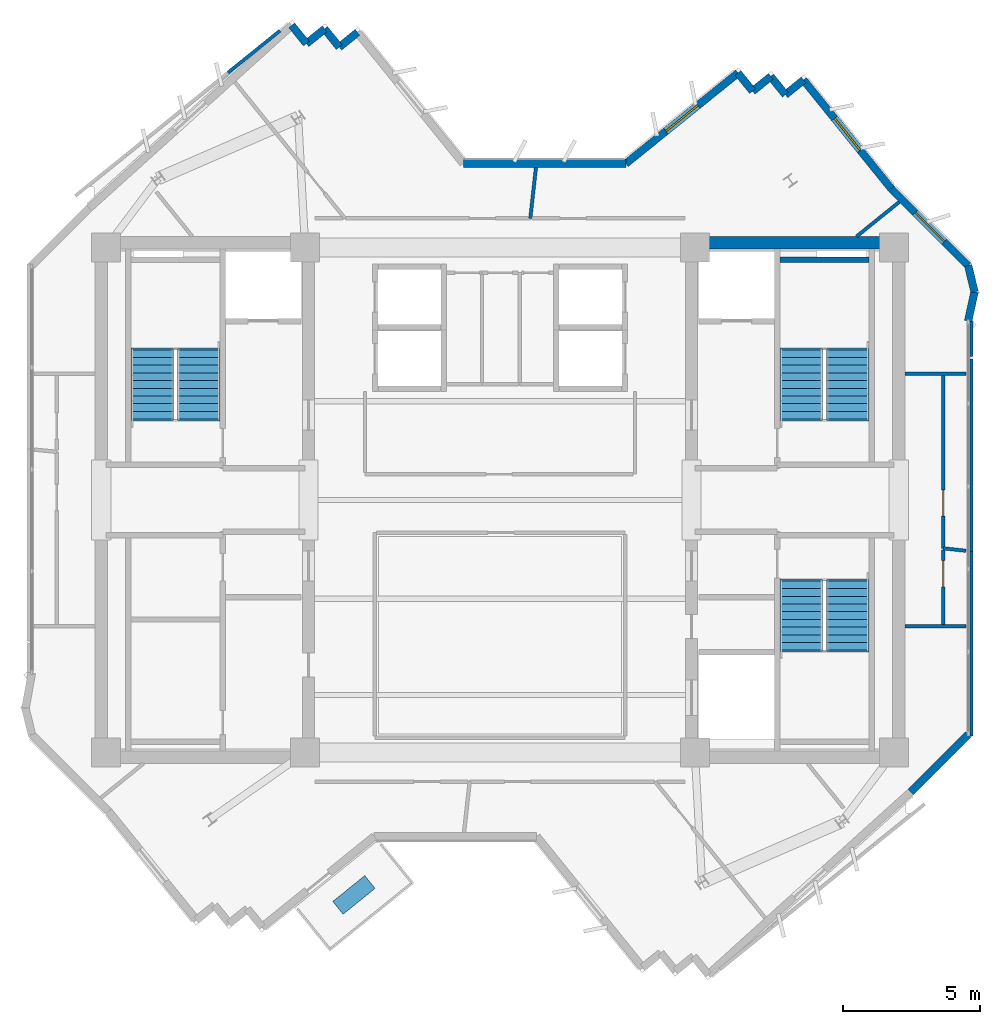
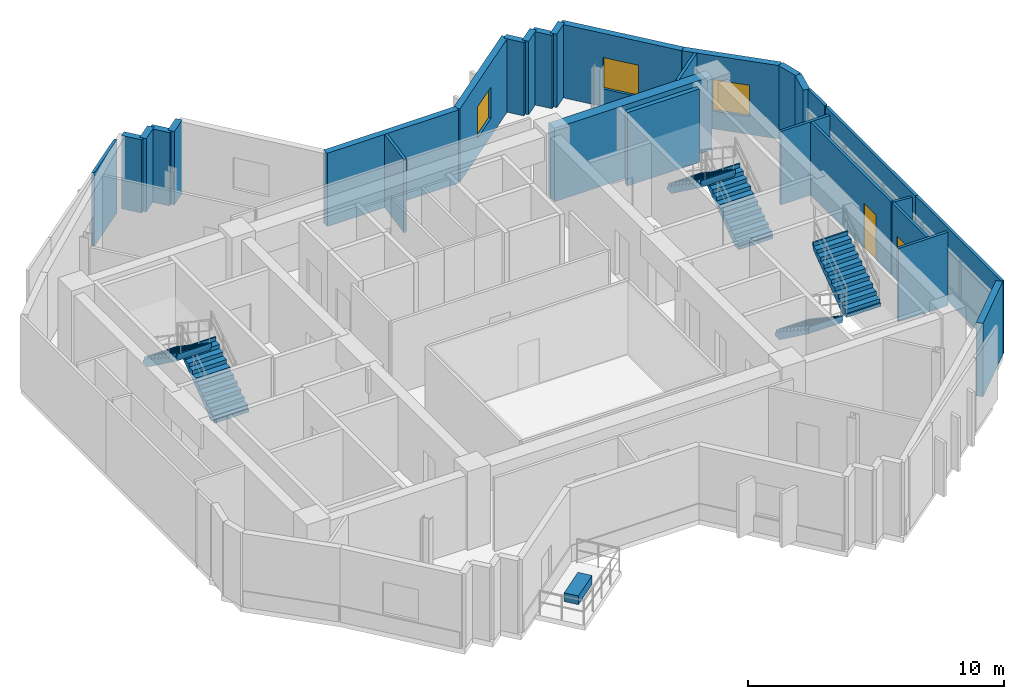
# One storey, part 9 of 11: 28 walls, 6 stair flights, 3 windows, 2 doors, 1 discrete accessory, 5 openings, 3 elements without a shape of their own.
"""IFC4 building model written with IfcOpenShell, lengths in metres."""

import ifcopenshell
import ifcopenshell.guid

model = None  # the IFC model being written
_history = None  # IfcOwnerHistory: only IFC2X3 demands one
_inside = {}  # id of a spatial element -> (the spatial element, [elements in it])
_under = {}  # id of a project, library or spatial element -> (it, [spatial elements below it])
_declared = {}  # id of a project -> (the project, [libraries it declares])
_typed = {}  # id of a type object -> (the type object, [elements of that type])
_made_of = {}  # id of a material, layer set ... -> (it, [elements and type objects made of it])


def new_model(schema):
    """Start an empty IFC model of exactly this schema.

    Asked for "IFC4X3", IfcOpenShell would pick the latest addendum, in which some entities
    have other attributes; the version numbers below select the first issue.
    IFC2X3 requires an IfcOwnerHistory on every rooted entity: one is made here for all.
    """
    global model, _history
    if schema == "IFC4X3":
        model = ifcopenshell.file(schema_version=(4, 3, 0, 0))
    else:
        model = ifcopenshell.file(schema=schema)
    _inside.clear()
    _under.clear()
    _declared.clear()
    _typed.clear()
    _made_of.clear()
    _history = None
    if model.schema == "IFC2X3":
        org = make("IfcOrganization", Name="unknown")
        user = make(
            "IfcPersonAndOrganization",
            ThePerson=make("IfcPerson", FamilyName="unknown"),
            TheOrganization=org,
        )
        app = make(
            "IfcApplication",
            ApplicationDeveloper=org,
            Version="unknown",
            ApplicationFullName="unknown",
            ApplicationIdentifier="unknown",
        )
        _history = make(
            "IfcOwnerHistory",
            OwningUser=user,
            OwningApplication=app,
            ChangeAction="ADDED",
            CreationDate=0,
        )
    return model


def make(cls, **values):
    """One entity of the class cls with the attributes given. An attribute that is None is left unset."""
    return model.create_entity(
        cls, **{name: value for name, value in values.items() if value is not None}
    )


def rooted(cls, **values):
    """An entity with a GlobalId (a new one), such as an element, a storey or a relation."""
    return make(cls, GlobalId=ifcopenshell.guid.new(), OwnerHistory=_history, **values)


def si_unit(unit_type, name, prefix=None):
    """IfcSIUnit, for example si_unit("LENGTHUNIT", "METRE", prefix="MILLI")."""
    return make("IfcSIUnit", UnitType=unit_type, Prefix=prefix, Name=name)


def assignment(units):
    """IfcUnitAssignment: the units of a project."""
    return None if units is None else make("IfcUnitAssignment", Units=units)


def point(xyz):
    """IfcCartesianPoint."""
    return None if xyz is None else make("IfcCartesianPoint", Coordinates=xyz)


def direction(xyz):
    """IfcDirection."""
    return None if xyz is None else make("IfcDirection", DirectionRatios=xyz)


def frame(location, z_axis=None, x_axis=None):
    """IfcAxis2Placement3D, a coordinate frame: its origin and axes. An axis left out is left unset."""
    return make(
        "IfcAxis2Placement3D",
        Location=point(location),
        Axis=direction(z_axis),
        RefDirection=direction(x_axis),
    )


def frame_2d(location, x_axis=None):
    """IfcAxis2Placement2D, a coordinate frame in the plane: its origin and x axis."""
    return make(
        "IfcAxis2Placement2D", Location=point(location), RefDirection=direction(x_axis)
    )


def origin():
    """The frame at (0, 0, 0) with its axes left unset."""
    return frame((0.0, 0.0, 0.0))


def origin_2d():
    """The frame at (0, 0) in the plane with its x axis left unset."""
    return frame_2d((0.0, 0.0))


def place(relative_to, where):
    """IfcLocalPlacement: puts the frame where relative to a parent placement (None: the world)."""
    return make(
        "IfcLocalPlacement", PlacementRelTo=relative_to, RelativePlacement=where
    )


def context(
    kind, dimensions, precision=None, world=None, true_north=None, identifier=None
):
    """IfcGeometricRepresentationContext, for example the 3D "Model" context."""
    return make(
        "IfcGeometricRepresentationContext",
        ContextIdentifier=identifier,
        ContextType=kind,
        CoordinateSpaceDimension=dimensions,
        Precision=precision,
        WorldCoordinateSystem=world,
        TrueNorth=true_north,
    )


def subcontext(parent, identifier, kind, view, scale=None):
    """IfcGeometricRepresentationSubContext, for example "Body" below "Model"."""
    return make(
        "IfcGeometricRepresentationSubContext",
        ContextIdentifier=identifier,
        ContextType=kind,
        ParentContext=parent,
        TargetScale=scale,
        TargetView=view,
    )


def project(units=None, contexts=None):
    """IfcProject with its units and contexts."""
    return rooted(
        "IfcProject",
        Name="project",
        RepresentationContexts=contexts,
        UnitsInContext=assignment(units),
    )


def spatial(cls, under=None, at=None, **own):
    """A site, building, storey or space (cls), placed at a placement, below another one or the project."""
    s = rooted(cls, ObjectPlacement=at, **own)
    if under is not None:
        _under.setdefault(under.id(), (under, []))[1].append(s)
    return s


def polyline(points):
    """IfcPolyline through the points."""
    return make("IfcPolyline", Points=[point(p) for p in points])


def profile(cls, at=None, kind="AREA", **sizes):
    """A parametric profile (cls). Its sizes go by their IFC names, for example OverallWidth=200.0."""
    return make(cls, ProfileType=kind, Position=at, **sizes)


def rectangle(**sizes):
    """IfcRectangleProfileDef."""
    return profile("IfcRectangleProfileDef", **sizes)


def outline(outer, holes=None, kind="AREA"):
    """IfcArbitraryClosedProfileDef: a profile drawn as a closed curve; with holes, ...WithVoids."""
    if holes is None:
        return make("IfcArbitraryClosedProfileDef", ProfileType=kind, OuterCurve=outer)
    return make(
        "IfcArbitraryProfileDefWithVoids",
        ProfileType=kind,
        OuterCurve=outer,
        InnerCurves=holes,
    )


def extrude(swept, where, along, depth):
    """IfcExtrudedAreaSolid: the profile swept, set in the frame where, extruded along a direction by depth."""
    return make(
        "IfcExtrudedAreaSolid",
        SweptArea=swept,
        Position=where,
        ExtrudedDirection=direction(along),
        Depth=depth,
    )


def shape(context_of_items, identifier, shape_type, items):
    """IfcShapeRepresentation: the items that make up one representation, for example the "Body"."""
    return make(
        "IfcShapeRepresentation",
        ContextOfItems=context_of_items,
        RepresentationIdentifier=identifier,
        RepresentationType=shape_type,
        Items=items,
    )


def source(mapping_origin, context_of_items, identifier, shape_type, items):
    """IfcRepresentationMap: a shape defined once, which mapped items show again and again."""
    return make(
        "IfcRepresentationMap",
        MappingOrigin=mapping_origin,
        MappedRepresentation=shape(context_of_items, identifier, shape_type, items),
    )


def transform(
    local_origin,
    x_axis=None,
    y_axis=None,
    z_axis=None,
    scale=None,
    scale2=None,
    scale3=None,
    uniform=True,
):
    """IfcCartesianTransformationOperator3D, or its non-uniform kind. x_axis, y_axis, z_axis: its Axis1, 2, 3."""
    if uniform:
        return make(
            "IfcCartesianTransformationOperator3D",
            Axis1=direction(x_axis),
            Axis2=direction(y_axis),
            LocalOrigin=point(local_origin),
            Scale=scale,
            Axis3=direction(z_axis),
        )
    return make(
        "IfcCartesianTransformationOperator3DnonUniform",
        Axis1=direction(x_axis),
        Axis2=direction(y_axis),
        LocalOrigin=point(local_origin),
        Scale=scale,
        Axis3=direction(z_axis),
        Scale2=scale2,
        Scale3=scale3,
    )


def mapped(mapping_source, mapping_target):
    """IfcMappedItem: shows the shape of a source again, moved by a transform."""
    return make(
        "IfcMappedItem", MappingSource=mapping_source, MappingTarget=mapping_target
    )


def material(Name=None, Category=None):
    """IfcMaterial."""
    return make("IfcMaterial", Name=Name, Category=Category)


def layer(
    of_material, thickness, ventilated=None, Name=None, Category=None, Priority=None
):
    """IfcMaterialLayer: one layer of a wall or slab, of a material (None: an air gap)."""
    return make(
        "IfcMaterialLayer",
        Material=of_material,
        LayerThickness=thickness,
        IsVentilated=ventilated,
        Name=Name,
        Category=Category,
        Priority=Priority,
    )


def layer_set(layers, Name=None):
    """IfcMaterialLayerSet."""
    return make("IfcMaterialLayerSet", MaterialLayers=layers, LayerSetName=Name)


def made_of(thing, what):
    """Note that an element or type object is made of a material, layer set ...; save() writes the relation."""
    if what is not None:
        _made_of.setdefault(what.id(), (what, []))[1].append(thing)
    return thing


def type_object(cls, material=None, **own):
    """A type object (cls), such as IfcWallType, which elements share."""
    return made_of(rooted(cls, **own), material)


def element(
    cls,
    number,
    at=None,
    inside=None,
    cuts=None,
    type_object=None,
    material=None,
    context=None,
    identifier="Body",
    shape_type=None,
    held_by="IfcProductDefinitionShape",
    body=None,
    shapes=None,
    **own,
):
    """One element of the class cls, such as IfcWall. Its Tag is "e" and its number.

    at: its placement. inside: the storey or other place that contains it. cuts: it is an
    opening in that element (IfcRelVoidsElement). A single representation is given by context,
    identifier, shape_type and body (its items); several are given by shapes. held_by: the class
    of the entity that holds the representations. save() writes the other relations.
    """
    e = rooted(cls, Tag="e%d" % number, ObjectPlacement=at, **own)
    if body is not None:
        shapes = [shape(context, identifier, shape_type, body)]
    if shapes is not None:
        e.Representation = make(held_by, Representations=shapes)
    if inside is not None:
        _inside.setdefault(inside.id(), (inside, []))[1].append(e)
    if cuts is not None:
        rooted(
            "IfcRelVoidsElement", RelatingBuildingElement=cuts, RelatedOpeningElement=e
        )
    if type_object is not None:
        _typed.setdefault(type_object.id(), (type_object, []))[1].append(e)
    return made_of(e, material)


def fill(opening, filler):
    """IfcRelFillsElement: the door or window that sits in an opening."""
    return rooted(
        "IfcRelFillsElement",
        RelatingOpeningElement=opening,
        RelatedBuildingElement=filler,
    )


def aggregate(whole, parts):
    """IfcRelAggregates: a whole, such as a stair, and the parts it consists of."""
    return rooted("IfcRelAggregates", RelatingObject=whole, RelatedObjects=parts)


def save(model, path):
    """Write the relations noted so far, then the file.

    IfcRelAggregates (storeys below a building ...), IfcRelContainedInSpatialStructure (elements
    in a storey), IfcRelDefinesByType, IfcRelAssociatesMaterial and IfcRelDeclares: one each for
    every whole, place, type object, material and project.
    """
    for whole, parts in _under.values():
        aggregate(whole, parts)
    for where, things in _inside.values():
        rooted(
            "IfcRelContainedInSpatialStructure",
            RelatedElements=things,
            RelatingStructure=where,
        )
    for kind, things in _typed.values():
        rooted("IfcRelDefinesByType", RelatedObjects=things, RelatingType=kind)
    for what, things in _made_of.values():
        rooted("IfcRelAssociatesMaterial", RelatedObjects=things, RelatingMaterial=what)
    for by, libraries in _declared.values():
        rooted("IfcRelDeclares", RelatingContext=by, RelatedDefinitions=libraries)
    model.write(path)


model = new_model("IFC4")

# Units and contexts
model_context = context("Model", 3, precision=1e-05, world=origin(), true_north=direction((0.0, 1.0)))
body_context = subcontext(model_context, "Body", "Model", "MODEL_VIEW")
ifc_project = project(units=[si_unit("LENGTHUNIT", "METRE"), si_unit("AREAUNIT", "SQUARE_METRE"), si_unit("VOLUMEUNIT", "CUBIC_METRE"), si_unit("PLANEANGLEUNIT", "RADIAN"), si_unit("MASSUNIT", "GRAM", prefix="KILO")], contexts=[model_context])

# Site, building, storey
site_placement = place(None, origin())
site = spatial("IfcSite", under=ifc_project, at=site_placement, CompositionType="ELEMENT")
building_placement = place(site_placement, origin())
building = spatial("IfcBuilding", under=site, at=building_placement, Name="Zahravan Cultural Tower", CompositionType="ELEMENT")
storey_placement = place(building_placement, frame((0.0, 0.0, 287.85009765625)))
storey = spatial("IfcBuildingStorey", under=building, at=storey_placement, Name="L69", CompositionType="ELEMENT", Elevation=287.85009765625)

# Wall, opening, window
ifc_material_1 = material(Name="Precast concrete C40/50", Category="concrete")
ifc_layer_1 = layer(ifc_material_1, 0.280029296875)
ifc_layer_set_1 = layer_set([ifc_layer_1], Name="Precast concrete C40/50")
wall_type_1 = type_object("IfcWallType", Name="EW-TC-280", PredefinedType="SOLIDWALL", material=ifc_layer_set_1)
wall_1_placement = place(storey_placement, frame((40.5830078125, 39.260009765625, 0.0), z_axis=(0.0, 0.0, 1.0), x_axis=(0.778072238875, 0.628174809342, 0.0)))
wall_1 = element("IfcWall", 1, at=wall_1_placement, inside=storey, type_object=wall_type_1, Name="L69 Exterior Masonry Frame Wall 09", PredefinedType="SOLIDWALL", context=body_context, shape_type="SweptSolid", body=[
    extrude(rectangle(XDim=5.252685546875, YDim=0.280029296875, at=frame_2d((2.62646484375, 0.0))), origin(), (0.0, 0.0, 1.0), 3.5),
])
opening_1_placement = place(wall_1_placement, frame((1.8759765625, 0.0, 0.85009765625)))
opening_1 = element("IfcOpeningElement", 2, at=opening_1_placement, cuts=wall_1, Name="Opening WN-03", PredefinedType="OPENING", context=body_context, shape_type="SweptSolid", body=[
    extrude(rectangle(XDim=1.5, YDim=1.5, at=frame_2d((0.75, 0.75))), frame((0.0, 0.14990234375, 0.0), z_axis=(0.0, -1.0, 0.0), x_axis=(1.0, 0.0, 0.0)), (0.0, 0.0, 1.0), 0.300048828125),
])
ifc_material_2 = material(Name="Low-E solar-control double glazing", Category="glass")
window_type = type_object("IfcWindowType", Name="WN-REC-1500X1500", PartitioningType="SINGLE_PANEL", PredefinedType="WINDOW", material=ifc_material_2)
shared_shape_1 = source(origin(), body_context, "Body", "SweptSolid", [
    extrude(rectangle(XDim=1.5, YDim=1.5, at=frame_2d((0.75, 0.75))), frame((0.0, 0.030029296875, 0.0), z_axis=(0.0, -1.0, 0.0), x_axis=(1.0, 0.0, 0.0)), (0.0, 0.0, 1.0), 0.06005859375),
])
window_1_placement = place(opening_1_placement, origin())
window_1 = element("IfcWindow", 3, at=window_1_placement, inside=storey, type_object=window_type, Name="L69 Recessed Solar Window 03", OverallHeight=1.5, OverallWidth=1.5, PartitioningType="SINGLE_PANEL", PredefinedType="WINDOW", context=body_context, shape_type="MappedRepresentation", body=[
    mapped(shared_shape_1, transform((0.0, 0.0, 0.0), x_axis=(1.0, 0.0, 0.0), y_axis=(0.0, 1.0, 0.0), z_axis=(0.0, 0.0, 1.0), scale=1.0)),
])
fill(opening_1, window_1)

wall_2_placement = place(storey_placement, frame((47.060302734375, 42.3046875, 0.0), z_axis=(0.0, 0.0, 1.0), x_axis=(0.628225517447, -0.778031297075, 0.0)))
wall_2 = element("IfcWall", 4, at=wall_2_placement, inside=storey, type_object=wall_type_1, Name="L69 Exterior Masonry Frame Wall 14", PredefinedType="SOLIDWALL", context=body_context, shape_type="SweptSolid", body=[
    extrude(rectangle(XDim=5.0927734375, YDim=0.280029296875, at=frame_2d((2.54638671875, 0.0))), origin(), (0.0, 0.0, 1.0), 3.5),
])
opening_2_placement = place(wall_2_placement, frame((1.7958984375, 0.0, 0.85009765625)))
opening_2 = element("IfcOpeningElement", 5, at=opening_2_placement, cuts=wall_2, Name="Opening WN-03", PredefinedType="OPENING", context=body_context, shape_type="SweptSolid", body=[
    extrude(rectangle(XDim=1.5, YDim=1.5, at=frame_2d((0.75, 0.75))), frame((0.0, 0.14990234375, 0.0), z_axis=(0.0, -1.0, 0.0), x_axis=(1.0, 0.0, 0.0)), (0.0, 0.0, 1.0), 0.300048828125),
])
window_2_placement = place(opening_2_placement, origin())
window_2 = element("IfcWindow", 6, at=window_2_placement, inside=storey, type_object=window_type, Name="L69 Recessed Solar Window 04", OverallHeight=1.5, OverallWidth=1.5, PartitioningType="SINGLE_PANEL", PredefinedType="WINDOW", context=body_context, shape_type="MappedRepresentation", body=[
    mapped(shared_shape_1, transform((0.0, 0.0, 0.0), x_axis=(1.0, 0.0, 0.0), y_axis=(0.0, 1.0, 0.0), z_axis=(0.0, 0.0, 1.0), scale=1.0)),
])
fill(opening_2, window_2)

wall_3_placement = place(storey_placement, frame((50.259765625, 38.34228515625, 0.0), z_axis=(0.0, 0.0, 1.0), x_axis=(0.707106781187, -0.707106781187, 0.0)))
wall_3 = element("IfcWall", 7, at=wall_3_placement, inside=storey, type_object=wall_type_1, Name="L69 Exterior Masonry Frame Wall 15", PredefinedType="SOLIDWALL", context=body_context, shape_type="SweptSolid", body=[
    extrude(rectangle(XDim=3.960205078125, YDim=0.280029296875, at=frame_2d((1.97998046875, 0.0))), origin(), (0.0, 0.0, 1.0), 3.5),
])
opening_3_placement = place(wall_3_placement, frame((1.22998046875, 0.0, 0.85009765625)))
opening_3 = element("IfcOpeningElement", 8, at=opening_3_placement, cuts=wall_3, Name="Opening WN-03", PredefinedType="OPENING", context=body_context, shape_type="SweptSolid", body=[
    extrude(rectangle(XDim=1.5, YDim=1.5, at=frame_2d((0.75, 0.75))), frame((0.0, 0.14990234375, 0.0), z_axis=(0.0, -1.0, 0.0), x_axis=(1.0, 0.0, 0.0)), (0.0, 0.0, 1.0), 0.300048828125),
])
window_3_placement = place(opening_3_placement, origin())
window_3 = element("IfcWindow", 9, at=window_3_placement, inside=storey, type_object=window_type, Name="L69 Recessed Solar Window 05", OverallHeight=1.5, OverallWidth=1.5, PartitioningType="SINGLE_PANEL", PredefinedType="WINDOW", context=body_context, shape_type="MappedRepresentation", body=[
    mapped(shared_shape_1, transform((0.0, 0.0, 0.0), x_axis=(1.0, 0.0, 0.0), y_axis=(0.0, 1.0, 0.0), z_axis=(0.0, 0.0, 1.0), scale=1.0)),
])
fill(opening_3, window_3)

# Wall, opening, door
ifc_material_3 = material(Name="Gypsum plasterboard partition")
ifc_layer_2 = layer(ifc_material_3, 0.125)
ifc_layer_set_2 = layer_set([ifc_layer_2], Name="Gypsum plasterboard partition")
wall_type_2 = type_object("IfcWallType", Name="W-PART-125", PredefinedType="PARTITIONING", material=ifc_layer_set_2)
wall_4_placement = place(storey_placement, frame((52.14990234375, 25.240478515625, 0.0), z_axis=(0.0, 0.0, 1.0), x_axis=(-0.000155231293, 0.999999987952, 0.0)))
wall_4 = element("IfcWall", 10, at=wall_4_placement, inside=storey, type_object=wall_type_2, Name="L69 Interior Wall 060", PredefinedType="PARTITIONING", context=body_context, shape_type="SweptSolid", body=[
    extrude(rectangle(XDim=6.291015625, YDim=0.125, at=frame_2d((3.1455078125, 0.0))), origin(), (0.0, 0.0, 1.0), 3.5),
])
opening_4_placement = place(wall_4_placement, frame((1.175048828125, 0.0, 0.0)))
opening_4 = element("IfcOpeningElement", 11, at=opening_4_placement, cuts=wall_4, Name="Opening D-L69-17", PredefinedType="OPENING", context=body_context, shape_type="SweptSolid", body=[
    extrude(rectangle(XDim=0.949951171875, YDim=2.14990234375, at=frame_2d((0.47509765625, 1.074951171875))), frame((0.0, 0.072509765625, 0.0), z_axis=(0.0, -1.0, 0.0), x_axis=(1.0, 0.0, 0.0)), (0.0, 0.0, 1.0), 0.14501953125),
])
ifc_material_4 = material(Name="Anodised bronze-aluminium mullion", Category="aluminium")
door_type = type_object("IfcDoorType", Name="DR-ROOM-950", OperationType="NOTDEFINED", PredefinedType="DOOR", material=ifc_material_4)
shared_shape_2 = source(origin(), body_context, "Body", "SweptSolid", [
    extrude(rectangle(XDim=0.949951171875, YDim=2.14990234375, at=frame_2d((0.47509765625, 1.074951171875))), frame((0.0, 0.02490234375, 0.0), z_axis=(0.0, -1.0, 0.0), x_axis=(1.0, 0.0, 0.0)), (0.0, 0.0, 1.0), 0.050048828125),
])
door_1_placement = place(opening_4_placement, origin())
door_1 = element("IfcDoor", 12, at=door_1_placement, inside=storey, type_object=door_type, Name="L69 Door D-L69-17", OperationType="SINGLE_SWING_RIGHT", OverallHeight=2.14990234375, OverallWidth=0.949951171875, PredefinedType="DOOR", context=body_context, shape_type="MappedRepresentation", body=[
    mapped(shared_shape_2, transform((0.0, 0.0, 0.0), x_axis=(1.0, 0.0, 0.0), y_axis=(0.0, 1.0, 0.0), z_axis=(0.0, 0.0, 1.0), scale=1.0)),
])
fill(opening_4, door_1)

wall_5_placement = place(storey_placement, frame((52.146484375, 22.468017578125, 0.0), z_axis=(0.0, 0.0, 1.0), x_axis=(0.001263765014, 0.999999201449, 0.0)))
wall_5 = element("IfcWall", 13, at=wall_5_placement, inside=storey, type_object=wall_type_2, Name="L69 Interior Wall 063", PredefinedType="PARTITIONING", context=body_context, shape_type="SweptSolid", body=[
    extrude(rectangle(XDim=2.70458984375, YDim=0.125, at=frame_2d((1.352294921875, 0.0))), origin(), (0.0, 0.0, 1.0), 3.5),
])
opening_5_placement = place(wall_5_placement, frame((1.36865234375, 0.0, 0.0)))
opening_5 = element("IfcOpeningElement", 14, at=opening_5_placement, cuts=wall_5, Name="Opening D-L69-24", PredefinedType="OPENING", context=body_context, shape_type="SweptSolid", body=[
    extrude(rectangle(XDim=0.949951171875, YDim=2.14990234375, at=frame_2d((0.47509765625, 1.074951171875))), frame((0.0, 0.072509765625, 0.0), z_axis=(0.0, -1.0, 0.0), x_axis=(1.0, 0.0, 0.0)), (0.0, 0.0, 1.0), 0.14501953125),
])
door_2_placement = place(opening_5_placement, origin())
door_2 = element("IfcDoor", 15, at=door_2_placement, inside=storey, type_object=door_type, Name="L69 Door D-L69-24", OperationType="SINGLE_SWING_LEFT", OverallHeight=2.14990234375, OverallWidth=0.949951171875, PredefinedType="DOOR", context=body_context, shape_type="MappedRepresentation", body=[
    mapped(shared_shape_2, transform((0.0, 0.0, 0.0), x_axis=(1.0, 0.0, 0.0), y_axis=(0.0, 1.0, 0.0), z_axis=(0.0, 0.0, 1.0), scale=1.0)),
])
fill(opening_5, door_2)

# Walls
ifc_material_5 = material(Name="Concrete C50/60", Category="concrete")
ifc_layer_3 = layer(ifc_material_5, 0.449951171875)
ifc_layer_set_3 = layer_set([ifc_layer_3], Name="Concrete C50/60")
wall_type_3 = type_object("IfcWallType", Name="CW-SHEAR-450-C50", PredefinedType="SHEAR", material=ifc_layer_set_3)
shared_shape_3 = source(origin(), body_context, "Body", "SweptSolid", [
    extrude(rectangle(XDim=7.10009765625, YDim=0.449951171875, at=frame_2d((3.550048828125, 0.0))), origin(), (0.0, 0.0, 1.0), 3.5),
])
wall_6_placement = place(storey_placement, frame((43.199951171875, 36.375, 0.0), z_axis=(0.0, 0.0, 1.0), x_axis=(1.0, 0.0, 0.0)))
element("IfcWall", 16, at=wall_6_placement, inside=storey, type_object=wall_type_3, Name="L69 Core Shear Wall CW-E-N-L69", PredefinedType="SHEAR", context=body_context, shape_type="MappedRepresentation", body=[
    mapped(shared_shape_3, transform((0.0, 0.0, 0.0), x_axis=(1.0, 0.0, 0.0), y_axis=(0.0, 1.0, 0.0), z_axis=(0.0, 0.0, 1.0), scale=1.0)),
])
shared_shape_4 = source(origin(), body_context, "Body", "SweptSolid", [
    extrude(rectangle(XDim=0.85009765625, YDim=0.280029296875, at=frame_2d((0.425048828125, 0.0))), origin(), (0.0, 0.0, 1.0), 3.5),
])
for number, where, z_axis, x_axis, name in (
    (17, (28.41357421875, 44.2919921875, 0.0), (0.0, 0.0, 1.0), (0.628156579423, -0.778086956405, 0.0), "L69 Exterior Masonry Frame Wall 03"),
    (18, (28.947509765625, 43.630615234375, 0.0), (0.0, 0.0, 1.0), (0.777946579095, 0.628330422687, 0.0), "L69 Exterior Masonry Frame Wall 04"),
    (19, (29.60888671875, 44.164794921875, 0.0), (0.0, 0.0, 1.0), (0.628156579423, -0.778086956405, 0.0), "L69 Exterior Masonry Frame Wall 05"),
    (20, (30.142822265625, 43.50341796875, 0.0), (0.0, 0.0, 1.0), (0.778086956405, 0.628156579423, 0.0), "L69 Exterior Masonry Frame Wall 06"),
    (21, (44.669921875, 42.5595703125, 0.0), (0.0, 0.0, 1.0), (0.628156579423, -0.778086956405, 0.0), "L69 Exterior Masonry Frame Wall 10"),
    (22, (45.864990234375, 42.43212890625, 0.0), (0.0, 0.0, 1.0), (0.628330422687, -0.777946579095, 0.0), "L69 Exterior Masonry Frame Wall 12"),
):
    element("IfcWall", number, at=place(storey_placement, frame(where, z_axis=z_axis, x_axis=x_axis)), inside=storey, type_object=wall_type_1, Name=name, PredefinedType="SOLIDWALL", context=body_context, shape_type="MappedRepresentation", body=[
        mapped(shared_shape_4, transform((0.0, 0.0, 0.0), x_axis=(1.0, 0.0, 0.0), y_axis=(0.0, 1.0, 0.0), z_axis=(0.0, 0.0, 1.0), scale=1.0)),
    ])
shared_shape_5 = source(origin(), body_context, "Body", "SweptSolid", [
    extrude(rectangle(XDim=0.849853515625, YDim=0.280029296875, at=frame_2d((0.4248046875, 0.0))), origin(), (0.0, 0.0, 1.0), 3.5),
])
for number, where, z_axis, x_axis, name in (
    (23, (45.203857421875, 41.898193359375, 0.0), (0.0, 0.0, 1.0), (0.777973585776, 0.628296983786, 0.0), "L69 Exterior Masonry Frame Wall 11"),
    (24, (46.399169921875, 41.770751953125, 0.0), (0.0, 0.0, 1.0), (0.777973585776, 0.628296983786, 0.0), "L69 Exterior Masonry Frame Wall 13"),
):
    element("IfcWall", number, at=place(storey_placement, frame(where, z_axis=z_axis, x_axis=x_axis)), inside=storey, type_object=wall_type_1, Name=name, PredefinedType="SOLIDWALL", context=body_context, shape_type="MappedRepresentation", body=[
        mapped(shared_shape_5, transform((0.0, 0.0, 0.0), x_axis=(1.0, 0.0, 0.0), y_axis=(0.0, 1.0, 0.0), z_axis=(0.0, 0.0, 1.0), scale=1.0)),
    ])
shared_shape_6 = source(origin(), body_context, "Body", "SweptSolid", [
    extrude(rectangle(XDim=2.96435546875, YDim=0.280029296875, at=frame_2d((1.482177734375, 0.0))), origin(), (0.0, 0.0, 1.0), 3.5),
])
wall_7_placement = place(storey_placement, frame((53.06005859375, 18.4580078125, 0.0), z_axis=(0.0, 0.0, 1.0), x_axis=(-0.707106781187, -0.707106781187, 0.0)))
element("IfcWall", 25, at=wall_7_placement, inside=storey, type_object=wall_type_1, Name="L69 Exterior Masonry Frame Wall 18", PredefinedType="SOLIDWALL", context=body_context, shape_type="MappedRepresentation", body=[
    mapped(shared_shape_6, transform((0.0, 0.0, 0.0), x_axis=(1.0, 0.0, 0.0), y_axis=(0.0, 1.0, 0.0), z_axis=(0.0, 0.0, 1.0), scale=1.0)),
])
shared_shape_7 = source(origin(), body_context, "Body", "SweptSolid", [
    extrude(rectangle(XDim=5.921630859375, YDim=0.280029296875, at=frame_2d((2.9609375, 0.0))), origin(), (0.0, 0.0, 1.0), 3.5),
])
wall_8_placement = place(storey_placement, frame((34.661376953125, 39.260009765625, 0.0), z_axis=(0.0, 0.0, 1.0), x_axis=(1.0, 0.0, 0.0)))
element("IfcWall", 26, at=wall_8_placement, inside=storey, type_object=wall_type_1, Name="L69 Exterior Masonry Frame Wall 08", PredefinedType="SOLIDWALL", context=body_context, shape_type="MappedRepresentation", body=[
    mapped(shared_shape_7, transform((0.0, 0.0, 0.0), x_axis=(1.0, 0.0, 0.0), y_axis=(0.0, 1.0, 0.0), z_axis=(0.0, 0.0, 1.0), scale=1.0)),
])
shared_shape_8 = source(origin(), body_context, "Body", "SweptSolid", [
    extrude(rectangle(XDim=0.9833984375, YDim=0.280029296875, at=frame_2d((0.49169921875, 0.0))), origin(), (0.0, 0.0, 1.0), 3.5),
])
wall_9_placement = place(storey_placement, frame((53.06005859375, 35.5419921875, 0.0), z_axis=(0.0, 0.0, 1.0), x_axis=(0.235870049888, -0.971784605541, 0.0)))
element("IfcWall", 27, at=wall_9_placement, inside=storey, type_object=wall_type_1, Name="L69 Exterior Masonry Frame Wall 16", PredefinedType="SOLIDWALL", context=body_context, shape_type="MappedRepresentation", body=[
    mapped(shared_shape_8, transform((0.0, 0.0, 0.0), x_axis=(1.0, 0.0, 0.0), y_axis=(0.0, 1.0, 0.0), z_axis=(0.0, 0.0, 1.0), scale=1.0)),
])
shared_shape_9 = source(origin(), body_context, "Body", "SweptSolid", [
    extrude(rectangle(XDim=1.090576171875, YDim=0.280029296875, at=frame_2d((0.54541015625, 0.0))), origin(), (0.0, 0.0, 1.0), 3.5),
])
wall_10_placement = place(storey_placement, frame((53.2919921875, 34.58642578125, 0.0), z_axis=(0.0, 0.0, 1.0), x_axis=(-0.212661978508, -0.977125827566, 0.0)))
element("IfcWall", 28, at=wall_10_placement, inside=storey, type_object=wall_type_1, Name="L69 Exterior Masonry Frame Wall 17", PredefinedType="SOLIDWALL", context=body_context, shape_type="MappedRepresentation", body=[
    mapped(shared_shape_9, transform((0.0, 0.0, 0.0), x_axis=(1.0, 0.0, 0.0), y_axis=(0.0, 1.0, 0.0), z_axis=(0.0, 0.0, 1.0), scale=1.0)),
])
ifc_material_6 = material(Name="Concrete C45/55", Category="concrete")
ifc_layer_4 = layer(ifc_material_6, 0.199951171875)
ifc_layer_set_4 = layer_set([ifc_layer_4], Name="Concrete C45/55")
wall_type_4 = type_object("IfcWallType", Name="W-SHAFT-200", PredefinedType="SOLIDWALL", material=ifc_layer_set_4)
shared_shape_10 = source(origin(), body_context, "Body", "SweptSolid", [
    extrude(rectangle(XDim=3.25, YDim=0.199951171875, at=frame_2d((1.625, 0.0))), origin(), (0.0, 0.0, 1.0), 3.5),
])
wall_11_placement = place(storey_placement, frame((46.199951171875, 35.75, 0.0), z_axis=(0.0, 0.0, 1.0), x_axis=(1.0, 0.0, 0.0)))
element("IfcWall", 29, at=wall_11_placement, inside=storey, type_object=wall_type_4, Name="L69 Interior Wall 018", PredefinedType="SOLIDWALL", context=body_context, shape_type="MappedRepresentation", body=[
    mapped(shared_shape_10, transform((0.0, 0.0, 0.0), x_axis=(1.0, 0.0, 0.0), y_axis=(0.0, 1.0, 0.0), z_axis=(0.0, 0.0, 1.0), scale=1.0)),
])
shared_shape_11 = source(origin(), body_context, "Body", "SweptSolid", [
    extrude(rectangle(XDim=1.989013671875, YDim=0.125, at=frame_2d((0.99462890625, 0.0))), origin(), (0.0, 0.0, 1.0), 3.5),
])
wall_12_placement = place(storey_placement, frame((48.994873046875, 36.60498046875, 0.0), z_axis=(0.0, 0.0, 1.0), x_axis=(0.778058853423, 0.628191388519, 0.0)))
element("IfcWall", 30, at=wall_12_placement, inside=storey, type_object=wall_type_2, Name="L69 Interior Wall 056", PredefinedType="PARTITIONING", context=body_context, shape_type="MappedRepresentation", body=[
    mapped(shared_shape_11, transform((0.0, 0.0, 0.0), x_axis=(1.0, 0.0, 0.0), y_axis=(0.0, 1.0, 0.0), z_axis=(0.0, 0.0, 1.0), scale=1.0)),
])
shared_shape_12 = source(origin(), body_context, "Body", "SweptSolid", [
    extrude(rectangle(XDim=2.22265625, YDim=0.125, at=frame_2d((1.111328125, 0.0))), origin(), (0.0, 0.0, 1.0), 3.5),
])
for number, where, z_axis, x_axis, name in (
    (31, (52.9775390625, 31.598388671875, 0.0), (0.0, 0.0, 1.0), (-0.999999704402, 0.000768892567, 0.0), "L69 Interior Wall 055"),
    (32, (50.7548828125, 22.39990234375, 0.0), (0.0, 0.0, 1.0), (0.999999903478, 0.000439367269, 0.0), "L69 Interior Wall 062"),
):
    element("IfcWall", number, at=place(storey_placement, frame(where, z_axis=z_axis, x_axis=x_axis)), inside=storey, type_object=wall_type_2, Name=name, PredefinedType="PARTITIONING", context=body_context, shape_type="MappedRepresentation", body=[
        mapped(shared_shape_12, transform((0.0, 0.0, 0.0), x_axis=(1.0, 0.0, 0.0), y_axis=(0.0, 1.0, 0.0), z_axis=(0.0, 0.0, 1.0), scale=1.0)),
    ])
shared_shape_13 = source(origin(), body_context, "Body", "SweptSolid", [
    extrude(rectangle(XDim=1.275634765625, YDim=0.125, at=frame_2d((0.6376953125, 0.0))), origin(), (0.0, 0.0, 1.0), 3.5),
])
wall_13_placement = place(storey_placement, frame((53.179931640625, 33.499755859375, 0.0), z_axis=(0.0, 0.0, 1.0), x_axis=(0.0, -1.0, 0.0)))
element("IfcWall", 33, at=wall_13_placement, inside=storey, type_object=wall_type_2, Name="L69 Interior Wall 057", PredefinedType="PARTITIONING", context=body_context, shape_type="MappedRepresentation", body=[
    mapped(shared_shape_13, transform((0.0, 0.0, 0.0), x_axis=(1.0, 0.0, 0.0), y_axis=(0.0, 1.0, 0.0), z_axis=(0.0, 0.0, 1.0), scale=1.0)),
])
shared_shape_14 = source(origin(), body_context, "Body", "SweptSolid", [
    extrude(rectangle(XDim=7.014404296875, YDim=0.125, at=frame_2d((3.50732421875, 0.0))), origin(), (0.0, 0.0, 1.0), 3.5),
])
wall_14_placement = place(storey_placement, frame((53.179931640625, 32.140380859375, 0.0), z_axis=(0.0, 0.0, 1.0), x_axis=(0.0, -1.0, 0.0)))
element("IfcWall", 34, at=wall_14_placement, inside=storey, type_object=wall_type_2, Name="L69 Interior Wall 058", PredefinedType="PARTITIONING", context=body_context, shape_type="MappedRepresentation", body=[
    mapped(shared_shape_14, transform((0.0, 0.0, 0.0), x_axis=(1.0, 0.0, 0.0), y_axis=(0.0, 1.0, 0.0), z_axis=(0.0, 0.0, 1.0), scale=1.0)),
])
shared_shape_15 = source(origin(), body_context, "Body", "SweptSolid", [
    extrude(rectangle(XDim=0.82763671875, YDim=0.125, at=frame_2d((0.413818359375, 0.0))), origin(), (0.0, 0.0, 1.0), 3.5),
])
wall_15_placement = place(storey_placement, frame((52.972412109375, 25.14892578125, 0.0), z_axis=(0.0, 0.0, 1.0), x_axis=(-0.993862130166, 0.110625793652, 0.0)))
element("IfcWall", 35, at=wall_15_placement, inside=storey, type_object=wall_type_2, Name="L69 Interior Wall 059", PredefinedType="PARTITIONING", context=body_context, shape_type="MappedRepresentation", body=[
    mapped(shared_shape_15, transform((0.0, 0.0, 0.0), x_axis=(1.0, 0.0, 0.0), y_axis=(0.0, 1.0, 0.0), z_axis=(0.0, 0.0, 1.0), scale=1.0)),
])
shared_shape_16 = source(origin(), body_context, "Body", "SweptSolid", [
    extrude(rectangle(XDim=6.7177734375, YDim=0.125, at=frame_2d((3.35888671875, 0.0))), origin(), (0.0, 0.0, 1.0), 3.5),
])
wall_16_placement = place(storey_placement, frame((53.179931640625, 25.1259765625, 0.0), z_axis=(0.0, 0.0, 1.0), x_axis=(0.0, -1.0, 0.0)))
element("IfcWall", 36, at=wall_16_placement, inside=storey, type_object=wall_type_2, Name="L69 Interior Wall 064", PredefinedType="PARTITIONING", context=body_context, shape_type="MappedRepresentation", body=[
    mapped(shared_shape_16, transform((0.0, 0.0, 0.0), x_axis=(1.0, 0.0, 0.0), y_axis=(0.0, 1.0, 0.0), z_axis=(0.0, 0.0, 1.0), scale=1.0)),
])
shared_shape_17 = source(origin(), body_context, "Body", "SweptSolid", [
    extrude(rectangle(XDim=2.43359375, YDim=0.125, at=frame_2d((1.216796875, 0.0))), origin(), (0.0, 0.0, 1.0), 3.5),
])
wall_17_placement = place(storey_placement, frame((26.089599609375, 42.570068359375, 0.0), z_axis=(0.0, 0.0, 1.0), x_axis=(0.778061870062, 0.628187652183, 0.0)))
element("IfcWall", 37, at=wall_17_placement, inside=storey, type_object=wall_type_2, Name="L69 Interior Wall 081", PredefinedType="PARTITIONING", context=body_context, shape_type="MappedRepresentation", body=[
    mapped(shared_shape_17, transform((0.0, 0.0, 0.0), x_axis=(1.0, 0.0, 0.0), y_axis=(0.0, 1.0, 0.0), z_axis=(0.0, 0.0, 1.0), scale=1.0)),
])
shared_shape_18 = source(origin(), body_context, "Body", "SweptSolid", [
    extrude(rectangle(XDim=1.866455078125, YDim=0.125, at=frame_2d((0.93310546875, 0.0))), origin(), (0.0, 0.0, 1.0), 3.5),
])
wall_18_placement = place(storey_placement, frame((37.310302734375, 39.114990234375, 0.0), z_axis=(0.0, 0.0, 1.0), x_axis=(-0.110661229882, -0.993858185156, 0.0)))
element("IfcWall", 38, at=wall_18_placement, inside=storey, type_object=wall_type_2, Name="L69 Interior Wall 082", PredefinedType="PARTITIONING", context=body_context, shape_type="MappedRepresentation", body=[
    mapped(shared_shape_18, transform((0.0, 0.0, 0.0), x_axis=(1.0, 0.0, 0.0), y_axis=(0.0, 1.0, 0.0), z_axis=(0.0, 0.0, 1.0), scale=1.0)),
])

# Stair, stair flights
stair_type = type_object("IfcStairType", Name="STR-DL-1550-375", PredefinedType="HALF_TURN_STAIR", material=ifc_material_6)
stair_1_placement = place(storey_placement, origin())
stair_1 = element("IfcStair", 39, at=stair_1_placement, inside=storey, type_object=stair_type, Name="L69 West Core North Exit Stair ST-W1", PredefinedType="HALF_TURN_STAIR")
stair_flight_type = type_object("IfcStairFlightType", Name="FLG-DL-1550-375", PredefinedType="STRAIGHT", material=ifc_material_6)
stair_flight_1_placement = place(storey_placement, frame((25.02490234375, 29.949951171875, 0.0), z_axis=(0.0, 0.0, 1.0), x_axis=(0.0, 1.0, 0.0)))
stair_flight_1 = element("IfcStairFlight", 40, at=stair_flight_1_placement, type_object=stair_flight_type, Name="ST-W1 flight 1", NumberOfRisers=10, NumberOfTreads=9, PredefinedType="STRAIGHT", RiserHeight=0.1875, TreadLength=0.28, context=body_context, shape_type="SweptSolid", body=[
    extrude(outline(polyline([(-0.06494140625, -0.139892578125), (-0.06494140625, 0.0), (0.0, 0.0), (0.0, 0.1875), (0.280029296875, 0.1875), (0.280029296875, 0.375), (0.56005859375, 0.375), (0.56005859375, 0.5625), (0.840087890625, 0.5625), (0.840087890625, 0.75), (1.1201171875, 0.75), (1.1201171875, 0.9375), (1.39990234375, 0.9375), (1.39990234375, 1.125), (1.679931640625, 1.125), (1.679931640625, 1.3125), (1.9599609375, 1.3125), (1.9599609375, 1.5), (2.239990234375, 1.5), (2.239990234375, 1.6875), (2.52001953125, 1.6875), (2.52001953125, 1.875), (2.5849609375, 1.875), (2.5849609375, 1.72509765625), (2.52001953125, 1.507080078125), (0.26953125, -0.139892578125), (-0.06494140625, -0.139892578125)])), frame((0.0, 0.77490234375, 0.0), z_axis=(0.0, -1.0, 0.0), x_axis=(1.0, 0.0, 0.0)), (0.0, 0.0, 1.0), 1.550048828125),
])
stair_flight_2_placement = place(storey_placement, frame((23.324951171875, 32.469970703125, 1.875), z_axis=(0.0, 0.0, 1.0), x_axis=(0.0, -1.0, 0.0)))
stair_flight_2 = element("IfcStairFlight", 41, at=stair_flight_2_placement, type_object=stair_flight_type, Name="ST-W1 flight 2", NumberOfRisers=10, NumberOfTreads=9, PredefinedType="STRAIGHT", RiserHeight=0.1875, TreadLength=0.28, context=body_context, shape_type="SweptSolid", body=[
    extrude(outline(polyline([(-0.06494140625, -0.139892578125), (-0.06494140625, 0.0), (0.0, 0.0), (0.0, 0.1875), (0.280029296875, 0.1875), (0.280029296875, 0.375), (0.56005859375, 0.375), (0.56005859375, 0.5625), (0.840087890625, 0.5625), (0.840087890625, 0.75), (1.1201171875, 0.75), (1.1201171875, 0.9375), (1.39990234375, 0.9375), (1.39990234375, 1.125), (1.679931640625, 1.125), (1.679931640625, 1.3125), (1.9599609375, 1.3125), (1.9599609375, 1.5), (2.239990234375, 1.5), (2.239990234375, 1.6875), (2.52001953125, 1.6875), (2.52001953125, 1.875), (2.5849609375, 1.875), (2.5849609375, 1.72509765625), (2.52001953125, 1.507080078125), (0.26953125, -0.139892578125), (-0.06494140625, -0.139892578125)])), frame((0.0, 0.77490234375, 0.0), z_axis=(0.0, -1.0, 0.0), x_axis=(1.0, 0.0, 0.0)), (0.0, 0.0, 1.0), 1.550048828125),
])
aggregate(stair_1, [stair_flight_1, stair_flight_2])

stair_2_placement = place(storey_placement, origin())
stair_2 = element("IfcStair", 42, at=stair_2_placement, inside=storey, type_object=stair_type, Name="L69 East Core North Exit Stair ST-E1", PredefinedType="HALF_TURN_STAIR")
stair_flight_3_placement = place(storey_placement, frame((48.675048828125, 29.949951171875, 0.0), z_axis=(0.0, 0.0, 1.0), x_axis=(0.0, 1.0, 0.0)))
stair_flight_3 = element("IfcStairFlight", 43, at=stair_flight_3_placement, type_object=stair_flight_type, Name="ST-E1 flight 1", NumberOfRisers=10, NumberOfTreads=9, PredefinedType="STRAIGHT", RiserHeight=0.1875, TreadLength=0.28, context=body_context, shape_type="SweptSolid", body=[
    extrude(outline(polyline([(-0.06494140625, -0.139892578125), (-0.06494140625, 0.0), (0.0, 0.0), (0.0, 0.1875), (0.280029296875, 0.1875), (0.280029296875, 0.375), (0.56005859375, 0.375), (0.56005859375, 0.5625), (0.840087890625, 0.5625), (0.840087890625, 0.75), (1.1201171875, 0.75), (1.1201171875, 0.9375), (1.39990234375, 0.9375), (1.39990234375, 1.125), (1.679931640625, 1.125), (1.679931640625, 1.3125), (1.9599609375, 1.3125), (1.9599609375, 1.5), (2.239990234375, 1.5), (2.239990234375, 1.6875), (2.52001953125, 1.6875), (2.52001953125, 1.875), (2.5849609375, 1.875), (2.5849609375, 1.72509765625), (2.52001953125, 1.507080078125), (0.26953125, -0.139892578125), (-0.06494140625, -0.139892578125)])), frame((0.0, 0.77490234375, 0.0), z_axis=(0.0, -1.0, 0.0), x_axis=(1.0, 0.0, 0.0)), (0.0, 0.0, 1.0), 1.550048828125),
])
stair_flight_4_placement = place(storey_placement, frame((46.97509765625, 32.469970703125, 1.875), z_axis=(0.0, 0.0, 1.0), x_axis=(0.0, -1.0, 0.0)))
stair_flight_4 = element("IfcStairFlight", 44, at=stair_flight_4_placement, type_object=stair_flight_type, Name="ST-E1 flight 2", NumberOfRisers=10, NumberOfTreads=9, PredefinedType="STRAIGHT", RiserHeight=0.1875, TreadLength=0.28, context=body_context, shape_type="SweptSolid", body=[
    extrude(outline(polyline([(-0.06494140625, -0.139892578125), (-0.06494140625, 0.0), (0.0, 0.0), (0.0, 0.1875), (0.280029296875, 0.1875), (0.280029296875, 0.375), (0.56005859375, 0.375), (0.56005859375, 0.5625), (0.840087890625, 0.5625), (0.840087890625, 0.75), (1.1201171875, 0.75), (1.1201171875, 0.9375), (1.39990234375, 0.9375), (1.39990234375, 1.125), (1.679931640625, 1.125), (1.679931640625, 1.3125), (1.9599609375, 1.3125), (1.9599609375, 1.5), (2.239990234375, 1.5), (2.239990234375, 1.6875), (2.52001953125, 1.6875), (2.52001953125, 1.875), (2.5849609375, 1.875), (2.5849609375, 1.72509765625), (2.52001953125, 1.507080078125), (0.26953125, -0.139892578125), (-0.06494140625, -0.139892578125)])), frame((0.0, 0.77490234375, 0.0), z_axis=(0.0, -1.0, 0.0), x_axis=(1.0, 0.0, 0.0)), (0.0, 0.0, 1.0), 1.550048828125),
])
aggregate(stair_2, [stair_flight_3, stair_flight_4])

stair_3_placement = place(storey_placement, origin())
stair_3 = element("IfcStair", 45, at=stair_3_placement, inside=storey, type_object=stair_type, Name="L69 East Core South Exit Stair ST-E2", PredefinedType="HALF_TURN_STAIR")
stair_flight_5_placement = place(storey_placement, frame((46.97509765625, 24.050048828125, 0.0), z_axis=(0.0, 0.0, 1.0), x_axis=(0.0, -1.0, 0.0)))
stair_flight_5 = element("IfcStairFlight", 46, at=stair_flight_5_placement, type_object=stair_flight_type, Name="ST-E2 flight 1", NumberOfRisers=10, NumberOfTreads=9, PredefinedType="STRAIGHT", RiserHeight=0.1875, TreadLength=0.28, context=body_context, shape_type="SweptSolid", body=[
    extrude(outline(polyline([(-0.06494140625, -0.139892578125), (-0.06494140625, 0.0), (0.0, 0.0), (0.0, 0.1875), (0.280029296875, 0.1875), (0.280029296875, 0.375), (0.56005859375, 0.375), (0.56005859375, 0.5625), (0.840087890625, 0.5625), (0.840087890625, 0.75), (1.1201171875, 0.75), (1.1201171875, 0.9375), (1.39990234375, 0.9375), (1.39990234375, 1.125), (1.679931640625, 1.125), (1.679931640625, 1.3125), (1.9599609375, 1.3125), (1.9599609375, 1.5), (2.239990234375, 1.5), (2.239990234375, 1.6875), (2.52001953125, 1.6875), (2.52001953125, 1.875), (2.5849609375, 1.875), (2.5849609375, 1.72509765625), (2.52001953125, 1.507080078125), (0.26953125, -0.139892578125), (-0.06494140625, -0.139892578125)])), frame((0.0, 0.77490234375, 0.0), z_axis=(0.0, -1.0, 0.0), x_axis=(1.0, 0.0, 0.0)), (0.0, 0.0, 1.0), 1.550048828125),
])
stair_flight_6_placement = place(storey_placement, frame((48.675048828125, 21.530029296875, 1.875), z_axis=(0.0, 0.0, 1.0), x_axis=(0.0, 1.0, 0.0)))
stair_flight_6 = element("IfcStairFlight", 47, at=stair_flight_6_placement, type_object=stair_flight_type, Name="ST-E2 flight 2", NumberOfRisers=10, NumberOfTreads=9, PredefinedType="STRAIGHT", RiserHeight=0.1875, TreadLength=0.28, context=body_context, shape_type="SweptSolid", body=[
    extrude(outline(polyline([(-0.06494140625, -0.139892578125), (-0.06494140625, 0.0), (0.0, 0.0), (0.0, 0.1875), (0.280029296875, 0.1875), (0.280029296875, 0.375), (0.56005859375, 0.375), (0.56005859375, 0.5625), (0.840087890625, 0.5625), (0.840087890625, 0.75), (1.1201171875, 0.75), (1.1201171875, 0.9375), (1.39990234375, 0.9375), (1.39990234375, 1.125), (1.679931640625, 1.125), (1.679931640625, 1.3125), (1.9599609375, 1.3125), (1.9599609375, 1.5), (2.239990234375, 1.5), (2.239990234375, 1.6875), (2.52001953125, 1.6875), (2.52001953125, 1.875), (2.5849609375, 1.875), (2.5849609375, 1.72509765625), (2.52001953125, 1.507080078125), (0.26953125, -0.139892578125), (-0.06494140625, -0.139892578125)])), frame((0.0, 0.77490234375, 0.0), z_axis=(0.0, -1.0, 0.0), x_axis=(1.0, 0.0, 0.0)), (0.0, 0.0, 1.0), 1.550048828125),
])
aggregate(stair_3, [stair_flight_5, stair_flight_6])

# Discrete accessory
ifc_material_7 = material(Name="Planted soil and terracotta planter", Category="masonry")
discrete_accessory_type = type_object("IfcDiscreteAccessoryType", Name="ACC-PLANTER-TC", PredefinedType="USERDEFINED", material=ifc_material_7)
shared_shape_19 = source(origin(), body_context, "Body", "SweptSolid", [
    extrude(rectangle(XDim=1.5, YDim=0.60009765625, at=origin_2d()), origin(), (0.0, 0.0, 1.0), 0.419921875),
])
discrete_accessory_placement = place(storey_placement, frame((30.677978515625, 12.610595703125, 0.0), z_axis=(0.0, 0.0, 1.0), x_axis=(0.778060083088, 0.628189865491, 0.0)))
element("IfcDiscreteAccessory", 48, at=discrete_accessory_placement, inside=storey, type_object=discrete_accessory_type, Name="L69 Terracotta Sculpture Planter SW", ObjectType="PLANTER", PredefinedType="USERDEFINED", context=body_context, shape_type="MappedRepresentation", body=[
    mapped(shared_shape_19, transform((0.0, 0.0, 0.0), x_axis=(1.0, 0.0, 0.0), y_axis=(0.0, 1.0, 0.0), z_axis=(0.0, 0.0, 1.0), scale=1.0)),
])

save(model, "model.ifc")
